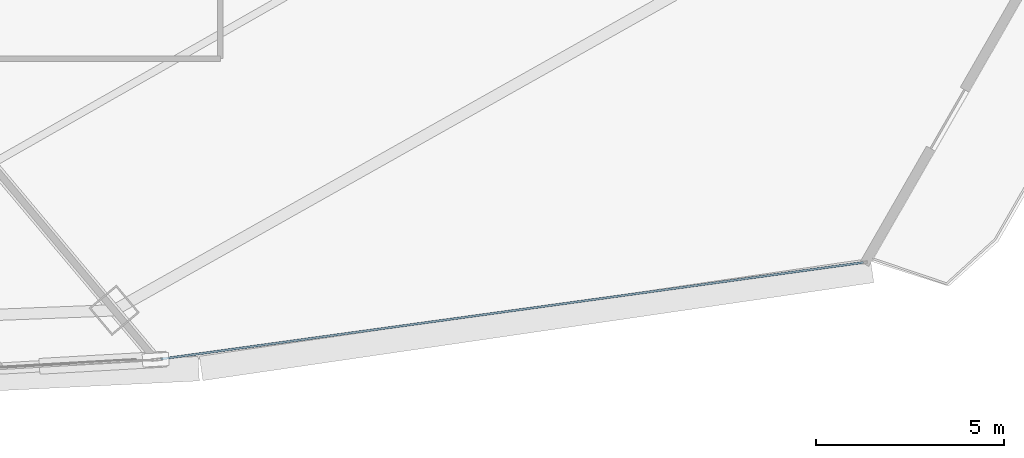
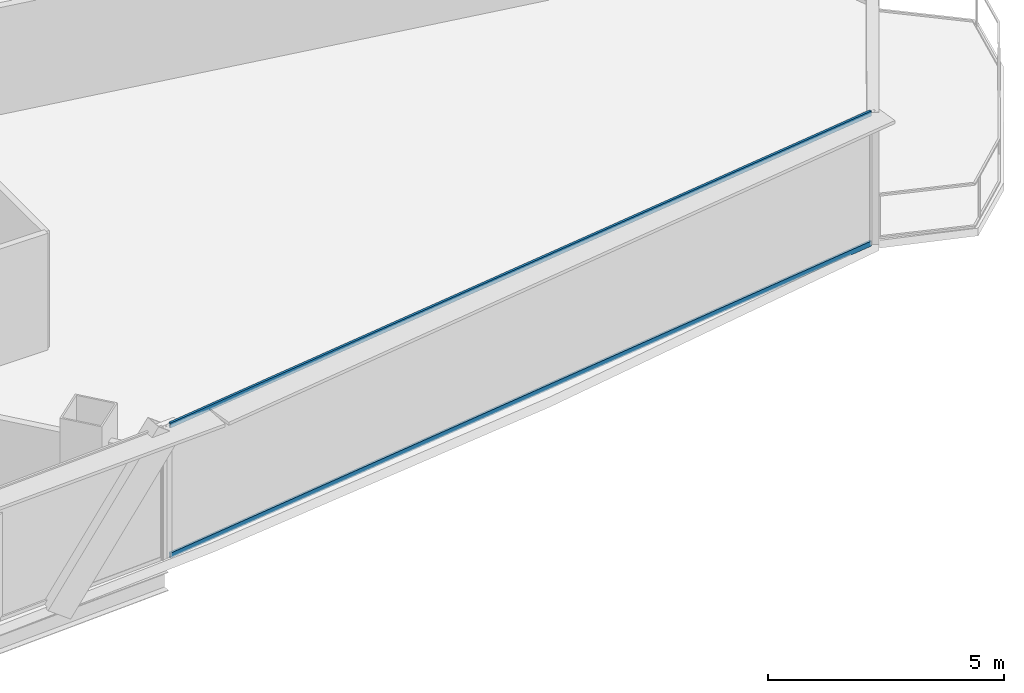
# One storey, part 21 of 39: 2 members, 1 element without a shape of its own.
"""IFC4 building model written with IfcOpenShell, lengths in metres."""

from ifc_helpers import new_model, si_unit, direction, frame, origin, origin_2d, place, context, subcontext, project, spatial, hollow_rectangle, extrude, source, transform, mapped, material, layer, layer_set, material_profile, profile_set, type_object, element, aggregate, save


model = new_model("IFC4")

# Units and contexts
model_context = context("Model", 3, precision=1e-05, world=origin(), true_north=direction((0.0, 1.0)))
body_context = subcontext(model_context, "Body", "Model", "MODEL_VIEW")
ifc_project = project(units=[si_unit("LENGTHUNIT", "METRE"), si_unit("AREAUNIT", "SQUARE_METRE"), si_unit("VOLUMEUNIT", "CUBIC_METRE"), si_unit("PLANEANGLEUNIT", "RADIAN"), si_unit("MASSUNIT", "GRAM", prefix="KILO"), si_unit("THERMODYNAMICTEMPERATUREUNIT", "KELVIN"), si_unit("POWERUNIT", "WATT")], contexts=[model_context])

# Site, building, storey
site_placement = place(None, origin())
site = spatial("IfcSite", under=ifc_project, at=site_placement, CompositionType="ELEMENT")
building_placement = place(site_placement, origin())
building = spatial("IfcBuilding", under=site, at=building_placement, Name="Yunzhuo Pagoda Commons", CompositionType="ELEMENT")
storey_placement = place(building_placement, frame((0.0, 0.0, 140.8701171875)))
storey = spatial("IfcBuildingStorey", under=building, at=storey_placement, Name="L35", CompositionType="ELEMENT", Elevation=140.8701171875)

# Curtain wall, members
ifc_material = material(Name="Anodized aluminium 6063-T6", Category="aluminium")
ifc_layer = layer(ifc_material, 0.14990234375)
ifc_layer_set = layer_set([ifc_layer], Name="Anodized aluminium 6063-T6")
curtain_wall_type = type_object("IfcCurtainWallType", Name="CW-MID Mid-Zone Ribbon Curtain Wall", PredefinedType="NOTDEFINED", material=ifc_layer_set)
curtain_wall_placement = place(storey_placement, origin())
curtain_wall = element("IfcCurtainWall", 1, at=curtain_wall_placement, inside=storey, type_object=curtain_wall_type, Name="L35 curtain wall CW-L35-F1B5", PredefinedType="NOTDEFINED")
ifc_material_profile = material_profile(ifc_material, hollow_rectangle(XDim=0.054931640625, YDim=0.1298828125, WallThickness=0.00341796875, at=origin_2d()), Name="Anodized aluminium 6063-T6")
ifc_profile_set = profile_set([ifc_material_profile], Name="Anodized aluminium 6063-T6")
member_type = type_object("IfcMemberType", Name="CW-MID-T Transom RHS 130x55x3.5", PredefinedType="USERDEFINED", material=ifc_profile_set)
shared_shape = source(origin(), body_context, "Body", "SweptSolid", [
    extrude(hollow_rectangle(XDim=0.054931640625, YDim=0.1298828125, WallThickness=0.00341796875, at=origin_2d()), origin(), (0.0, 0.0, 1.0), 18.81201171875),
])
member_1_placement = place(storey_placement, frame((64.8193359375, 13.833251953125, 0.02734375), z_axis=(0.990679190111, 0.136215793065, 0.0), x_axis=(-0.136215793065, 0.990679190111, 0.0)))
member_1 = element("IfcMember", 2, at=member_1_placement, type_object=member_type, Name="CW transom 1.1", ObjectType="TRANSOM", PredefinedType="USERDEFINED", context=body_context, shape_type="MappedRepresentation", body=[
    mapped(shared_shape, transform((0.0, 0.0, 0.0), scale=1.0)),
])
member_2_placement = place(storey_placement, frame((64.8193359375, 13.833251953125, 3.392333984375), z_axis=(0.990679190111, 0.136215793065, 0.0), x_axis=(-0.136215793065, 0.990679190111, 0.0)))
member_2 = element("IfcMember", 3, at=member_2_placement, type_object=member_type, Name="CW transom 1.2", ObjectType="TRANSOM", PredefinedType="USERDEFINED", context=body_context, shape_type="MappedRepresentation", body=[
    mapped(shared_shape, transform((0.0, 0.0, 0.0), scale=1.0)),
])
aggregate(curtain_wall, [member_1, member_2])

save(model, "model.ifc")
